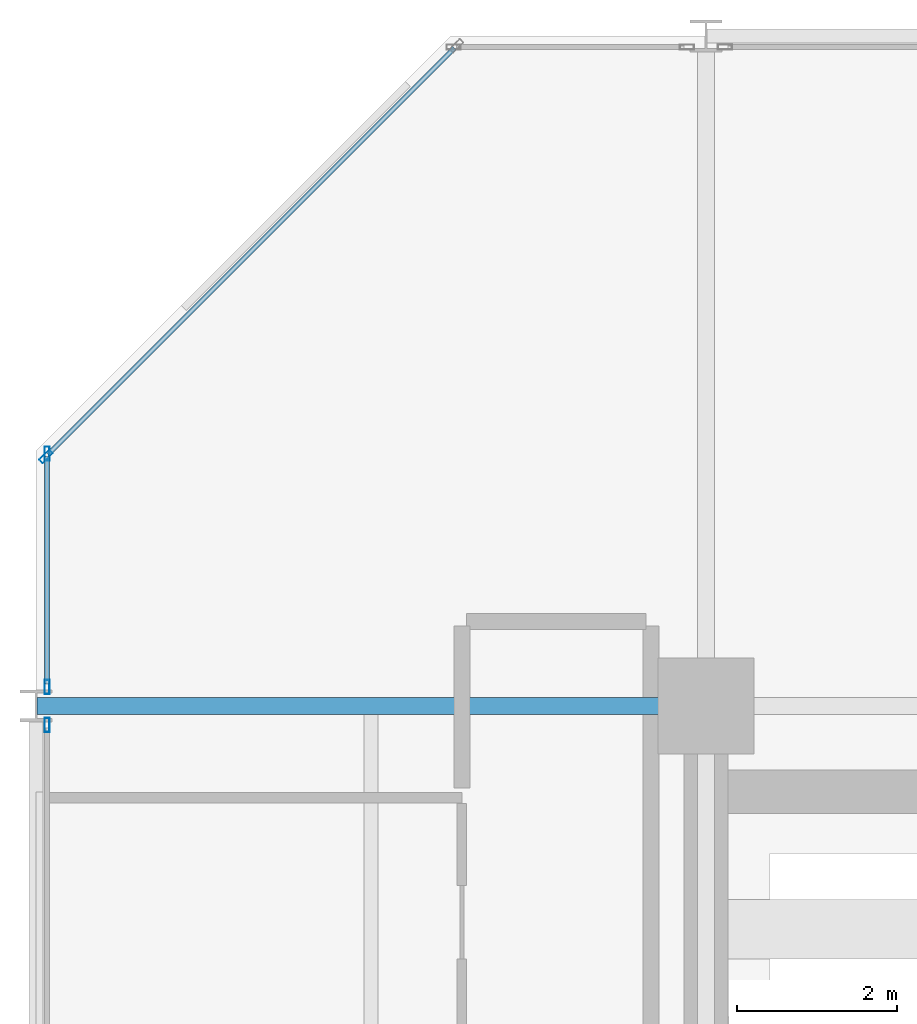
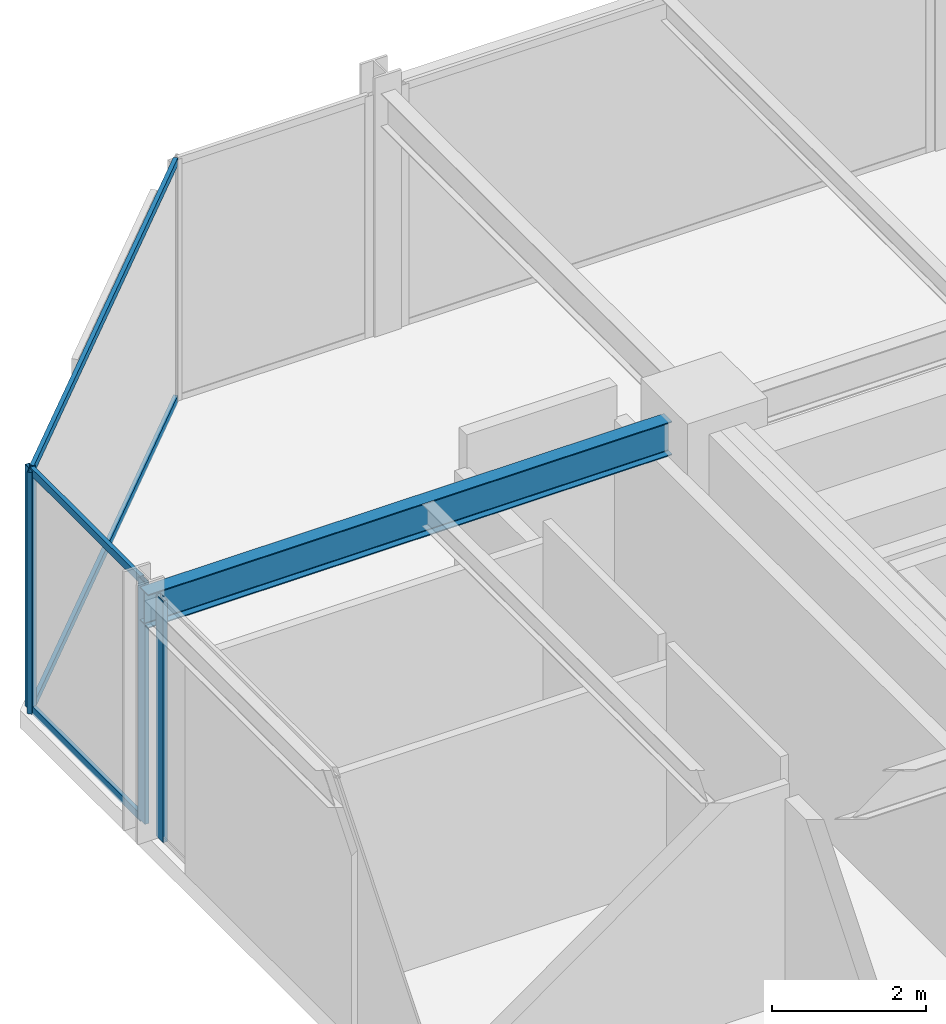
# One storey, part 25 of 38: 8 members, 1 beam, 3 elements without a shape of their own.
"""IFC4 building model written with IfcOpenShell, lengths in metres."""

from ifc_helpers import new_model, si_unit, direction, frame, origin, origin_2d, place, context, subcontext, project, spatial, hollow_rectangle, i_section, extrude, material, layer, layer_set, material_profile, profile_set, type_object, element, aggregate, save


model = new_model("IFC4")

# Units and contexts
model_context = context("Model", 3, precision=1e-05, world=origin(), true_north=direction((0.0, 1.0)))
body_context = subcontext(model_context, "Body", "Model", "MODEL_VIEW")
ifc_project = project(units=[si_unit("LENGTHUNIT", "METRE"), si_unit("AREAUNIT", "SQUARE_METRE"), si_unit("VOLUMEUNIT", "CUBIC_METRE"), si_unit("PLANEANGLEUNIT", "RADIAN"), si_unit("MASSUNIT", "GRAM", prefix="KILO")], contexts=[model_context])

# Site, building, storey
site_placement = place(None, origin())
site = spatial("IfcSite", under=ifc_project, at=site_placement, CompositionType="ELEMENT")
building_placement = place(site_placement, origin())
building = spatial("IfcBuilding", under=site, at=building_placement, Name="Nerrivon Quay Data Exchange", CompositionType="ELEMENT")
storey_placement = place(building_placement, frame((0.0, 0.0, 100.800048828125)))
storey = spatial("IfcBuildingStorey", under=building, at=storey_placement, Name="L23", CompositionType="ELEMENT", Elevation=100.800048828125)

# Beam
ifc_material_1 = material(Name="Steel Grade 350", Category="steel")
ifc_material_profile_1 = material_profile(ifc_material_1, i_section(OverallWidth=0.208984375, OverallDepth=0.532958984375, WebThickness=0.01025390625, FlangeThickness=0.015625, FilletRadius=0.013916015625, at=origin_2d()), Name="530UB92.4")
ifc_profile_set_1 = profile_set([ifc_material_profile_1], Name="Steel Grade 350")
beam_type = type_object("IfcBeamType", Name="BM-G3-530UB92", PredefinedType="BEAM", material=ifc_profile_set_1)
beam_placement = place(storey_placement, frame((0.012451171875, 42.0, 3.558349609375), z_axis=(1.0, 0.0, 0.0), x_axis=(0.0, 1.0, 0.0)))
element("IfcBeam", 1, at=beam_placement, inside=storey, type_object=beam_type, Name="L23 EW Girder Y=42.0 (0.0..8.4)", PredefinedType="BEAM", context=body_context, shape_type="SweptSolid", body=[
    extrude(i_section(OverallWidth=0.208984375, OverallDepth=0.532958984375, WebThickness=0.01025390625, FlangeThickness=0.015625, FilletRadius=0.013916015625, at=origin_2d()), origin(), (0.0, 0.0, 1.0), 7.84765625),
])

# Curtain wall, member
ifc_material_2 = material(Name="Anodised aluminium 6063-T6", Category="aluminium")
ifc_layer = layer(ifc_material_2, 0.2099609375)
ifc_layer_set = layer_set([ifc_layer], Name="Anodised aluminium 6063-T6")
curtain_wall_type = type_object("IfcCurtainWallType", Name="CW-SYS-02", PredefinedType="NOTDEFINED", material=ifc_layer_set)
curtain_wall_1_placement = place(storey_placement, origin())
curtain_wall_1 = element("IfcCurtainWall", 2, at=curtain_wall_1_placement, inside=storey, type_object=curtain_wall_type, Name="L23 Unitised Curtain Wall 21", PredefinedType="NOTDEFINED")
ifc_material_profile_2 = material_profile(ifc_material_2, hollow_rectangle(XDim=0.06494140625, YDim=0.179931640625, WallThickness=0.00341796875, at=origin_2d()), Name="ALU-MULL-180x65")
ifc_profile_set_2 = profile_set([ifc_material_profile_2], Name="Anodised aluminium 6063-T6")
member_type_1 = type_object("IfcMemberType", Name="CWM-180x65", PredefinedType="MULLION", material=ifc_profile_set_2)
member_1_placement = place(storey_placement, frame((0.139892578125, 41.762451171875, 0.0), z_axis=(0.0, 0.0, 1.0), x_axis=(-1.0, 0.0, 0.0)))
member_1 = element("IfcMember", 3, at=member_1_placement, type_object=member_type_1, Name="CW02 mullion 2", PredefinedType="MULLION", context=body_context, shape_type="SweptSolid", body=[
    extrude(hollow_rectangle(XDim=0.06494140625, YDim=0.179931640625, WallThickness=0.00341796875, at=origin_2d()), origin(), (0.0, 0.0, 1.0), 3.824951171875),
])
aggregate(curtain_wall_1, [member_1])

# Curtain wall, members
curtain_wall_2_placement = place(storey_placement, origin())
curtain_wall_2 = element("IfcCurtainWall", 4, at=curtain_wall_2_placement, inside=storey, type_object=curtain_wall_type, Name="L23 Unitised Curtain Wall 22", PredefinedType="NOTDEFINED")
member_2_placement = place(storey_placement, frame((0.139892578125, 42.237548828125, 0.0), z_axis=(0.0, 0.0, 1.0), x_axis=(-1.0, 0.0, 0.0)))
member_2 = element("IfcMember", 5, at=member_2_placement, type_object=member_type_1, Name="CW02 mullion 1", PredefinedType="MULLION", context=body_context, shape_type="SweptSolid", body=[
    extrude(hollow_rectangle(XDim=0.06494140625, YDim=0.179931640625, WallThickness=0.00341796875, at=origin_2d()), origin(), (0.0, 0.0, 1.0), 3.824951171875),
])
member_3_placement = place(storey_placement, frame((0.139892578125, 45.16259765625, 0.0), z_axis=(0.0, 0.0, 1.0), x_axis=(-1.0, 0.0, 0.0)))
member_3 = element("IfcMember", 6, at=member_3_placement, type_object=member_type_1, Name="CW02 mullion 2", PredefinedType="MULLION", context=body_context, shape_type="SweptSolid", body=[
    extrude(hollow_rectangle(XDim=0.06494140625, YDim=0.179931640625, WallThickness=0.00341796875, at=origin_2d()), origin(), (0.0, 0.0, 1.0), 3.824951171875),
])

# Curtain wall, member
curtain_wall_3_placement = place(storey_placement, origin())
curtain_wall_3 = element("IfcCurtainWall", 7, at=curtain_wall_3_placement, inside=storey, type_object=curtain_wall_type, Name="L23 Unitised Curtain Wall 23", PredefinedType="NOTDEFINED")
member_4_placement = place(storey_placement, frame((0.12548828125, 45.12744140625, 0.0), z_axis=(0.0, 0.0, 1.0), x_axis=(-0.707106781187, 0.707106781187, 0.0)))
member_4 = element("IfcMember", 8, at=member_4_placement, type_object=member_type_1, Name="CW02 mullion 1", PredefinedType="MULLION", context=body_context, shape_type="SweptSolid", body=[
    extrude(hollow_rectangle(XDim=0.06494140625, YDim=0.179931640625, WallThickness=0.00341796875, at=origin_2d()), origin(), (0.0, 0.0, 1.0), 3.824951171875),
])

# Member
ifc_material_profile_3 = material_profile(ifc_material_2, hollow_rectangle(XDim=0.06005859375, YDim=0.1201171875, WallThickness=0.003173828125, at=origin_2d()), Name="ALU-TRAN-120x60")
ifc_profile_set_3 = profile_set([ifc_material_profile_3], Name="Anodised aluminium 6063-T6")
member_type_2 = type_object("IfcMemberType", Name="CWT-120x60", PredefinedType="USERDEFINED", material=ifc_profile_set_3)
member_5_placement = place(storey_placement, frame((0.139892578125, 42.27490234375, 0.032470703125), z_axis=(0.0, 1.0, 0.0), x_axis=(-1.0, 0.0, 0.0)))
member_5 = element("IfcMember", 9, at=member_5_placement, type_object=member_type_2, Name="CW02 transom 1.1", ObjectType="TRANSOM", PredefinedType="USERDEFINED", context=body_context, shape_type="SweptSolid", body=[
    extrude(hollow_rectangle(XDim=0.06005859375, YDim=0.1201171875, WallThickness=0.003173828125, at=origin_2d()), origin(), (0.0, 0.0, 1.0), 2.85009765625),
])

member_6_placement = place(storey_placement, frame((0.139892578125, 42.27490234375, 3.79248046875), z_axis=(0.0, 1.0, 0.0), x_axis=(-1.0, 0.0, 0.0)))
member_6 = element("IfcMember", 10, at=member_6_placement, type_object=member_type_2, Name="CW02 transom 1.2", ObjectType="TRANSOM", PredefinedType="USERDEFINED", context=body_context, shape_type="SweptSolid", body=[
    extrude(hollow_rectangle(XDim=0.06005859375, YDim=0.1201171875, WallThickness=0.003173828125, at=origin_2d()), origin(), (0.0, 0.0, 1.0), 2.85009765625),
])

aggregate(curtain_wall_2, [member_2, member_3, member_5, member_6])

member_7_placement = place(storey_placement, frame((0.152099609375, 45.154052734375, 0.032470703125), z_axis=(0.707089835771, 0.707123726196, 0.0), x_axis=(-0.707123726196, 0.707089835771, 0.0)))
member_7 = element("IfcMember", 11, at=member_7_placement, type_object=member_type_2, Name="CW02 transom 1.1", ObjectType="TRANSOM", PredefinedType="USERDEFINED", context=body_context, shape_type="SweptSolid", body=[
    extrude(hollow_rectangle(XDim=0.06005859375, YDim=0.1201171875, WallThickness=0.003173828125, at=origin_2d()), origin(), (0.0, 0.0, 1.0), 7.203857421875),
])

member_8_placement = place(storey_placement, frame((0.152099609375, 45.154052734375, 3.79248046875), z_axis=(0.707089835771, 0.707123726196, 0.0), x_axis=(-0.707123726196, 0.707089835771, 0.0)))
member_8 = element("IfcMember", 12, at=member_8_placement, type_object=member_type_2, Name="CW02 transom 1.2", ObjectType="TRANSOM", PredefinedType="USERDEFINED", context=body_context, shape_type="SweptSolid", body=[
    extrude(hollow_rectangle(XDim=0.06005859375, YDim=0.1201171875, WallThickness=0.003173828125, at=origin_2d()), origin(), (0.0, 0.0, 1.0), 7.203857421875),
])

aggregate(curtain_wall_3, [member_4, member_7, member_8])

save(model, "model.ifc")
